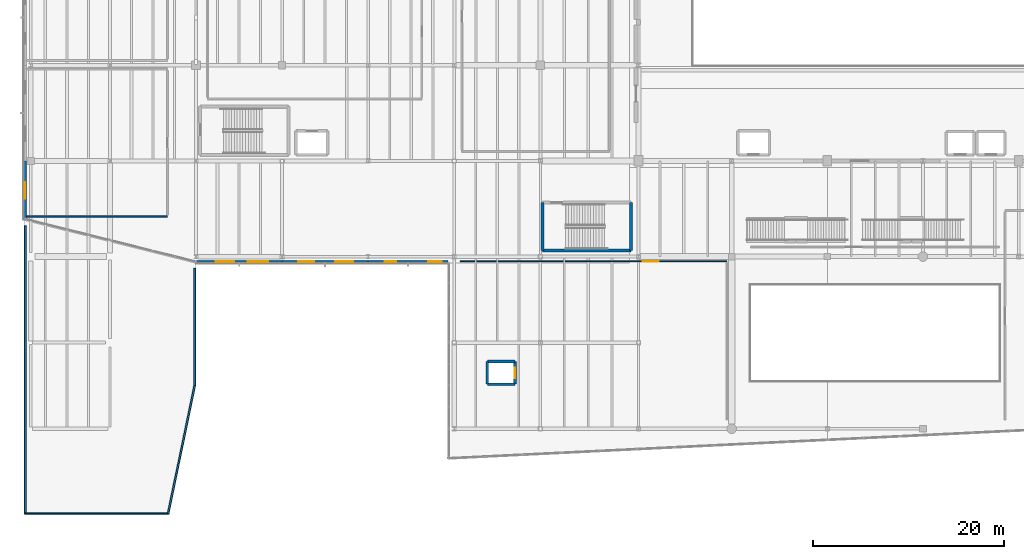
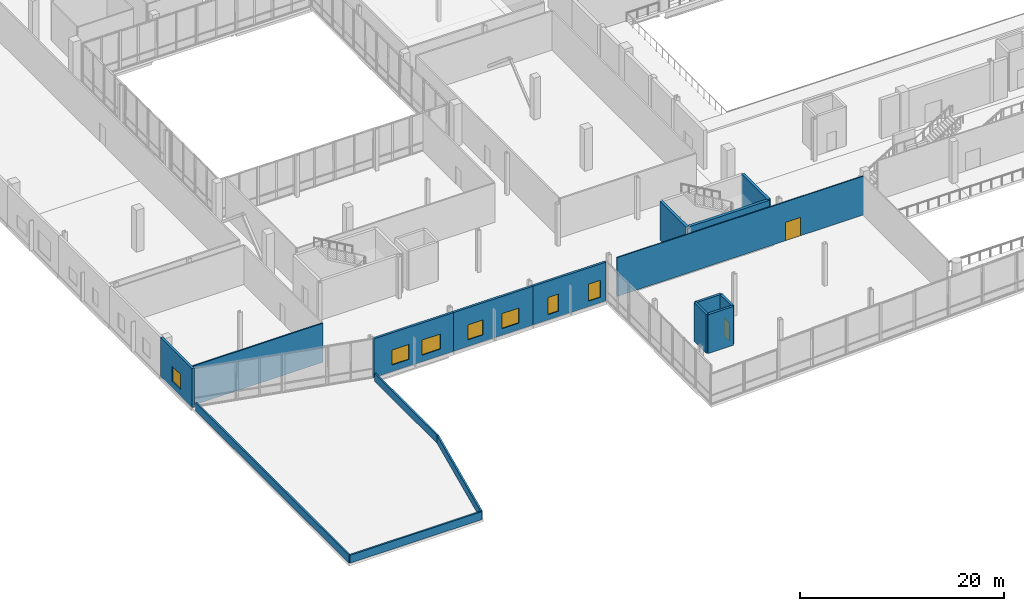
# One storey, part 58 of 81: 17 walls, 7 windows, 2 doors, 9 openings.
"""IFC4 building model written with IfcOpenShell, lengths in metres."""

from ifc_helpers import new_model, si_unit, direction, frame, frame_2d, origin, place, context, subcontext, project, spatial, rectangle, extrude, material, layer, layer_set, type_object, element, fill, save


model = new_model("IFC4")

# Units and contexts
model_context = context("Model", 3, precision=1e-05, world=origin(), true_north=direction((0.0, 1.0)))
body_context = subcontext(model_context, "Body", "Model", "MODEL_VIEW")
ifc_project = project(units=[si_unit("LENGTHUNIT", "METRE"), si_unit("AREAUNIT", "SQUARE_METRE"), si_unit("VOLUMEUNIT", "CUBIC_METRE"), si_unit("PLANEANGLEUNIT", "RADIAN"), si_unit("MASSUNIT", "GRAM", prefix="KILO")], contexts=[model_context])

# Site, building, storey
site_placement = place(None, origin())
site = spatial("IfcSite", under=ifc_project, at=site_placement, CompositionType="ELEMENT")
building_placement = place(site_placement, origin())
building = spatial("IfcBuilding", under=site, at=building_placement, Name="Trimount Lyric Opera House", CompositionType="ELEMENT")
storey_placement = place(building_placement, frame((0.0, 0.0, 5.0)))
storey = spatial("IfcBuildingStorey", under=building, at=storey_placement, Name="L01", CompositionType="ELEMENT", Elevation=5.0)

# Walls
ifc_material_1 = material(Name="Precast concrete C40/50", Category="concrete")
ifc_layer_1 = layer(ifc_material_1, 0.18994140625)
ifc_layer_set_1 = layer_set([ifc_layer_1], Name="WL-PA190")
wall_type_1 = type_object("IfcWallType", Name="WL-PA190", PredefinedType="PARAPET", material=ifc_layer_set_1)
wall_1_placement = place(storey_placement, frame((0.139892578125, 17.139892578125, 0.0), z_axis=(0.0, 0.0, 1.0), x_axis=(0.0, 1.0, 0.0)))
element("IfcWall", 1, at=wall_1_placement, inside=storey, type_object=wall_type_1, Name="L01 roof parapet 001", PredefinedType="PARAPET", context=body_context, shape_type="SweptSolid", body=[
    extrude(rectangle(XDim=30.078125, YDim=0.18994140625, at=frame_2d((15.0390625, 0.0))), origin(), (0.0, 0.0, 1.0), 0.949951171875),
])
wall_2_placement = place(storey_placement, frame((17.860107421875, 42.7880859375, 0.0), z_axis=(0.0, 0.0, 1.0), x_axis=(0.0, -1.0, 0.0)))
element("IfcWall", 2, at=wall_2_placement, inside=storey, type_object=wall_type_1, Name="L01 roof parapet 002", PredefinedType="PARAPET", context=body_context, shape_type="SweptSolid", body=[
    extrude(rectangle(XDim=12.273681640625, YDim=0.18994140625, at=frame_2d((6.13671875, 0.0))), origin(), (0.0, 0.0, 1.0), 0.949951171875),
])
wall_3_placement = place(storey_placement, frame((17.860107421875, 30.514404296875, 0.0), z_axis=(0.0, 0.0, 1.0), x_axis=(-0.203081956201, -0.979161743057, 0.0)))
element("IfcWall", 3, at=wall_3_placement, inside=storey, type_object=wall_type_1, Name="L01 roof parapet 003", PredefinedType="PARAPET", context=body_context, shape_type="SweptSolid", body=[
    extrude(rectangle(XDim=13.6591796875, YDim=0.18994140625, at=frame_2d((6.82958984375, 0.0))), origin(), (0.0, 0.0, 1.0), 0.949951171875),
])
wall_4_placement = place(storey_placement, frame((15.086181640625, 17.139892578125, 0.0), z_axis=(0.0, 0.0, 1.0), x_axis=(-1.0, 0.0, 0.0)))
element("IfcWall", 4, at=wall_4_placement, inside=storey, type_object=wall_type_1, Name="L01 roof parapet 004", PredefinedType="PARAPET", context=body_context, shape_type="SweptSolid", body=[
    extrude(rectangle(XDim=14.9462890625, YDim=0.18994140625, at=frame_2d((7.47314453125, 0.0))), origin(), (0.0, 0.0, 1.0), 0.949951171875),
])

# Wall, opening, door
ifc_material_2 = material(Name="Gypsum Board Partition")
ifc_layer_2 = layer(ifc_material_2, 0.1201171875)
ifc_layer_set_2 = layer_set([ifc_layer_2], Name="WL-PT120")
wall_type_2 = type_object("IfcWallType", Name="WL-PT120", PredefinedType="PARTITIONING", material=ifc_layer_set_2)
wall_5_placement = place(storey_placement, frame((73.5, 43.5, 0.0), z_axis=(0.0, 0.0, 1.0), x_axis=(-1.0, 0.0, 0.0)))
wall_5 = element("IfcWall", 5, at=wall_5_placement, inside=storey, type_object=wall_type_2, Name="L01 Atrium Champagne Bar N partition", PredefinedType="PARTITIONING", context=body_context, shape_type="SweptSolid", body=[
    extrude(rectangle(XDim=27.89990234375, YDim=0.1201171875, at=frame_2d((13.949951171875, 0.0))), origin(), (0.0, 0.0, 1.0), 4.64990234375),
])
opening_1_placement = place(wall_5_placement, frame((7.10009765625, 0.0, 0.0)))
opening_1 = element("IfcOpeningElement", 6, at=opening_1_placement, cuts=wall_5, Name="Opening DT-COR2", PredefinedType="OPENING", context=body_context, shape_type="SweptSolid", body=[
    extrude(rectangle(XDim=1.699951171875, YDim=2.199951171875, at=frame_2d((0.85009765625, 1.10009765625))), frame((0.0, 0.070068359375, 0.0), z_axis=(0.0, -1.0, 0.0), x_axis=(1.0, 0.0, 0.0)), (0.0, 0.0, 1.0), 0.14013671875),
])
ifc_material_3 = material(Name="Solid Core White Oak")
door_type_1 = type_object("IfcDoorType", Name="DT-COR2", OperationType="DOUBLE_DOOR_SINGLE_SWING", PredefinedType="DOOR", material=ifc_material_3)
door_1_placement = place(opening_1_placement, origin())
door_1 = element("IfcDoor", 7, at=door_1_placement, inside=storey, type_object=door_type_1, Name="D-195", OperationType="DOUBLE_DOOR_SINGLE_SWING", OverallHeight=2.199951171875, OverallWidth=1.699951171875, PredefinedType="DOOR", context=body_context, shape_type="SweptSolid", body=[
    extrude(rectangle(XDim=1.699951171875, YDim=2.199951171875, at=frame_2d((0.85009765625, 1.10009765625))), frame((0.0, 0.02490234375, 0.0), z_axis=(0.0, -1.0, 0.0), x_axis=(1.0, 0.0, 0.0)), (0.0, 0.0, 1.0), 0.050048828125),
])
fill(opening_1, door_1)

# Walls
ifc_material_4 = material(Name="Fire-Rated Gypsum Board Partition")
ifc_layer_3 = layer(ifc_material_4, 0.14990234375)
ifc_layer_set_3 = layer_set([ifc_layer_3], Name="WL-PT150")
wall_type_3 = type_object("IfcWallType", Name="WL-PT150", PredefinedType="PARTITIONING", material=ifc_layer_set_3)
wall_6_placement = place(storey_placement, frame((0.25, 48.199951171875, 0.0), z_axis=(0.0, 0.0, 1.0), x_axis=(1.0, 0.0, 0.0)))
element("IfcWall", 8, at=wall_6_placement, inside=storey, type_object=wall_type_3, Name="L01 Conductor & Soloist Suite S partition", PredefinedType="PARTITIONING", context=body_context, shape_type="SweptSolid", body=[
    extrude(rectangle(XDim=14.75, YDim=0.14990234375, at=frame_2d((7.375, 0.0))), origin(), (0.0, 0.0, 1.0), 4.679931640625),
])
ifc_material_5 = material(Name="Concrete C40/50", Category="concrete")
ifc_layer_4 = layer(ifc_material_5, 0.280029296875)
ifc_layer_set_4 = layer_set([ifc_layer_4], Name="WL-SH280")
wall_type_4 = type_object("IfcWallType", Name="WL-SH280", PredefinedType="SHEAR", material=ifc_layer_set_4)
for number, where, z_axis, x_axis, name in (
    (9, (48.4599609375, 30.659912109375, 0.0), (0.0, 0.0, 1.0), (1.0, 0.0, 0.0), "Lift LF-08 L01 south shaft wall"),
    (10, (51.340087890625, 33.0400390625, 0.0), (0.0, 0.0, 1.0), (-1.0, 0.0, 0.0), "Lift LF-08 L01 north shaft wall"),
):
    element("IfcWall", number, at=place(storey_placement, frame(where, z_axis=z_axis, x_axis=x_axis)), inside=storey, type_object=wall_type_4, Name=name, PredefinedType="SHEAR", context=body_context, shape_type="SweptSolid", body=[
        extrude(rectangle(XDim=2.880126953125, YDim=0.280029296875, at=frame_2d((1.43994140625, 0.0))), origin(), (0.0, 0.0, 1.0), 4.64990234375),
    ])
wall_7_placement = place(storey_placement, frame((48.4599609375, 33.0400390625, 0.0), z_axis=(0.0, 0.0, 1.0), x_axis=(0.0, -1.0, 0.0)))
element("IfcWall", 11, at=wall_7_placement, inside=storey, type_object=wall_type_4, Name="Lift LF-08 L01 west shaft wall", PredefinedType="SHEAR", context=body_context, shape_type="SweptSolid", body=[
    extrude(rectangle(XDim=2.380126953125, YDim=0.280029296875, at=frame_2d((1.18994140625, 0.0))), origin(), (0.0, 0.0, 1.0), 4.64990234375),
])

# Wall, opening, door
wall_8_placement = place(storey_placement, frame((51.340087890625, 30.659912109375, 0.0), z_axis=(0.0, 0.0, 1.0), x_axis=(0.0, 1.0, 0.0)))
wall_8 = element("IfcWall", 12, at=wall_8_placement, inside=storey, type_object=wall_type_4, Name="Lift LF-08 L01 east shaft wall", PredefinedType="SHEAR", context=body_context, shape_type="SweptSolid", body=[
    extrude(rectangle(XDim=2.380126953125, YDim=0.280029296875, at=frame_2d((1.18994140625, 0.0))), origin(), (0.0, 0.0, 1.0), 4.64990234375),
])
opening_2_placement = place(wall_8_placement, frame((0.639892578125, 0.0, 0.0)))
opening_2 = element("IfcOpeningElement", 13, at=opening_2_placement, cuts=wall_8, Name="Opening DT-LD1", PredefinedType="OPENING", context=body_context, shape_type="SweptSolid", body=[
    extrude(rectangle(XDim=1.10009765625, YDim=2.199951171875, at=frame_2d((0.550048828125, 1.10009765625))), frame((0.0, 0.14990234375, 0.0), z_axis=(0.0, -1.0, 0.0), x_axis=(1.0, 0.0, 0.0)), (0.0, 0.0, 1.0), 0.300048828125),
])
ifc_material_6 = material(Name="Brushed Stainless Steel", Category="steel")
door_type_2 = type_object("IfcDoorType", Name="DT-LD1", OperationType="SLIDING_TO_LEFT", PredefinedType="DOOR", material=ifc_material_6)
door_2_placement = place(opening_2_placement, origin())
door_2 = element("IfcDoor", 14, at=door_2_placement, inside=storey, type_object=door_type_2, Name="D-117", OperationType="SLIDING_TO_LEFT", OverallHeight=2.199951171875, OverallWidth=1.10009765625, PredefinedType="DOOR", context=body_context, shape_type="SweptSolid", body=[
    extrude(rectangle(XDim=1.10009765625, YDim=2.199951171875, at=frame_2d((0.550048828125, 1.10009765625))), frame((0.0, 0.02490234375, 0.0), z_axis=(0.0, -1.0, 0.0), x_axis=(1.0, 0.0, 0.0)), (0.0, 0.0, 1.0), 0.050048828125),
])
fill(opening_2, door_2)

# Walls
ifc_material_7 = material(Name="Concrete C40/50", Category="concrete")
ifc_layer_5 = layer(ifc_material_7, 0.320068359375)
ifc_layer_set_5 = layer_set([ifc_layer_5], Name="WL-SH320")
wall_type_5 = type_object("IfcWallType", Name="WL-SH320", PredefinedType="SHEAR", material=ifc_layer_set_5)
wall_9_placement = place(storey_placement, frame((54.22509765625, 44.625, 0.0), z_axis=(0.0, 0.0, 1.0), x_axis=(1.0, 0.0, 0.0)))
element("IfcWall", 15, at=wall_9_placement, inside=storey, type_object=wall_type_5, Name="K7 L01 south shaft wall", PredefinedType="SHEAR", context=body_context, shape_type="SweptSolid", body=[
    extrude(rectangle(XDim=9.25, YDim=0.320068359375, at=frame_2d((4.625, 0.0))), origin(), (0.0, 0.0, 1.0), 4.64990234375),
])
wall_10_placement = place(storey_placement, frame((54.22509765625, 49.675048828125, 0.0), z_axis=(0.0, 0.0, 1.0), x_axis=(0.0, -1.0, 0.0)))
element("IfcWall", 16, at=wall_10_placement, inside=storey, type_object=wall_type_5, Name="K7 L01 west shaft wall", PredefinedType="SHEAR", context=body_context, shape_type="SweptSolid", body=[
    extrude(rectangle(XDim=5.050048828125, YDim=0.320068359375, at=frame_2d((2.52490234375, 0.0))), origin(), (0.0, 0.0, 1.0), 4.64990234375),
])
wall_11_placement = place(storey_placement, frame((63.47509765625, 44.625, 0.0), z_axis=(0.0, 0.0, 1.0), x_axis=(0.0, 1.0, 0.0)))
element("IfcWall", 17, at=wall_11_placement, inside=storey, type_object=wall_type_5, Name="K7 L01 east shaft wall", PredefinedType="SHEAR", context=body_context, shape_type="SweptSolid", body=[
    extrude(rectangle(XDim=5.050048828125, YDim=0.320068359375, at=frame_2d((2.52490234375, 0.0))), origin(), (0.0, 0.0, 1.0), 4.679931640625),
])

# Wall, openings, windows
ifc_material_8 = material(Name="Concrete C35/45", Category="concrete")
ifc_layer_6 = layer(ifc_material_8, 0.25)
ifc_layer_set_6 = layer_set([ifc_layer_6], Name="WL-SW250")
wall_type_6 = type_object("IfcWallType", Name="WL-SW250", PredefinedType="SOLIDWALL", material=ifc_layer_set_6)
wall_12_placement = place(storey_placement, frame((44.320068359375, 43.4599609375, 0.0), z_axis=(0.0, 0.0, 1.0), x_axis=(-1.0, 0.0, 0.0)))
wall_12 = element("IfcWall", 18, at=wall_12_placement, inside=storey, type_object=wall_type_6, Name="L01 exterior facade wall 154", PredefinedType="SOLIDWALL", context=body_context, shape_type="SweptSolid", body=[
    extrude(rectangle(XDim=8.320068359375, YDim=0.25, at=frame_2d((4.16015625, 0.0))), origin(), (0.0, 0.0, 1.0), 4.64990234375),
])
opening_3_placement = place(wall_12_placement, frame((0.629638671875, 0.0, 0.64990234375)))
opening_3 = element("IfcOpeningElement", 19, at=opening_3_placement, cuts=wall_12, Name="Opening WT-13", PredefinedType="OPENING", context=body_context, shape_type="SweptSolid", body=[
    extrude(rectangle(XDim=1.39990234375, YDim=2.050048828125, at=frame_2d((0.699951171875, 1.02490234375))), frame((0.0, 0.135009765625, 0.0), z_axis=(0.0, -1.0, 0.0), x_axis=(1.0, 0.0, 0.0)), (0.0, 0.0, 1.0), 0.27001953125),
])
opening_4_placement = place(wall_12_placement, frame((5.390380859375, 0.0, 0.64990234375)))
opening_4 = element("IfcOpeningElement", 20, at=opening_4_placement, cuts=wall_12, Name="Opening WT-14", PredefinedType="OPENING", context=body_context, shape_type="SweptSolid", body=[
    extrude(rectangle(XDim=1.199951171875, YDim=2.050048828125, at=frame_2d((0.60009765625, 1.02490234375))), frame((0.0, 0.135009765625, 0.0), z_axis=(0.0, -1.0, 0.0), x_axis=(1.0, 0.0, 0.0)), (0.0, 0.0, 1.0), 0.27001953125),
])
ifc_material_9 = material(Name="Low-E Insulated Glazing in Bronze Frame", Category="glass")
window_type_1 = type_object("IfcWindowType", Name="WT-13", PartitioningType="SINGLE_PANEL", PredefinedType="WINDOW", material=ifc_material_9)
window_1_placement = place(opening_3_placement, origin())
window_1 = element("IfcWindow", 21, at=window_1_placement, inside=storey, type_object=window_type_1, Name="Window WT-13-0065", OverallHeight=2.050048828125, OverallWidth=1.39990234375, PartitioningType="SINGLE_PANEL", PredefinedType="WINDOW", context=body_context, shape_type="SweptSolid", body=[
    extrude(rectangle(XDim=1.39990234375, YDim=2.050048828125, at=frame_2d((0.699951171875, 1.02490234375))), frame((0.0, 0.030029296875, 0.0), z_axis=(0.0, -1.0, 0.0), x_axis=(1.0, 0.0, 0.0)), (0.0, 0.0, 1.0), 0.06005859375),
])
fill(opening_3, window_1)
ifc_material_10 = material(Name="Low-E Insulated Glazing in Bronze Frame", Category="glass")
window_type_2 = type_object("IfcWindowType", Name="WT-14", PartitioningType="SINGLE_PANEL", PredefinedType="WINDOW", material=ifc_material_10)
window_2_placement = place(opening_4_placement, origin())
window_2 = element("IfcWindow", 22, at=window_2_placement, inside=storey, type_object=window_type_2, Name="Window WT-14-0066", OverallHeight=2.050048828125, OverallWidth=1.199951171875, PartitioningType="SINGLE_PANEL", PredefinedType="WINDOW", context=body_context, shape_type="SweptSolid", body=[
    extrude(rectangle(XDim=1.199951171875, YDim=2.050048828125, at=frame_2d((0.60009765625, 1.02490234375))), frame((0.0, 0.030029296875, 0.0), z_axis=(0.0, -1.0, 0.0), x_axis=(1.0, 0.0, 0.0)), (0.0, 0.0, 1.0), 0.06005859375),
])
fill(opening_4, window_2)

wall_13_placement = place(storey_placement, frame((36.0, 43.4599609375, 0.0), z_axis=(0.0, 0.0, 1.0), x_axis=(-1.0, 0.0, 0.0)))
wall_13 = element("IfcWall", 23, at=wall_13_placement, inside=storey, type_object=wall_type_6, Name="L01 exterior facade wall 155", PredefinedType="SOLIDWALL", context=body_context, shape_type="SweptSolid", body=[
    extrude(rectangle(XDim=9.0, YDim=0.25, at=frame_2d((4.5, 0.0))), origin(), (0.0, 0.0, 1.0), 4.64990234375),
])
opening_5_placement = place(wall_13_placement, frame((1.570068359375, 0.0, 0.800048828125)))
opening_5 = element("IfcOpeningElement", 24, at=opening_5_placement, cuts=wall_13, Name="Opening WT-18", PredefinedType="OPENING", context=body_context, shape_type="SweptSolid", body=[
    extrude(rectangle(XDim=1.89990234375, YDim=1.800048828125, at=frame_2d((0.949951171875, 0.89990234375))), frame((0.0, 0.135009765625, 0.0), z_axis=(0.0, -1.0, 0.0), x_axis=(1.0, 0.0, 0.0)), (0.0, 0.0, 1.0), 0.27001953125),
])
opening_6_placement = place(wall_13_placement, frame((5.6298828125, 0.0, 0.800048828125)))
opening_6 = element("IfcOpeningElement", 25, at=opening_6_placement, cuts=wall_13, Name="Opening WT-19", PredefinedType="OPENING", context=body_context, shape_type="SweptSolid", body=[
    extrude(rectangle(XDim=1.699951171875, YDim=1.800048828125, at=frame_2d((0.85009765625, 0.89990234375))), frame((0.0, 0.135009765625, 0.0), z_axis=(0.0, -1.0, 0.0), x_axis=(1.0, 0.0, 0.0)), (0.0, 0.0, 1.0), 0.27001953125),
])
ifc_material_11 = material(Name="Dressing Suite Acoustic Window")
window_type_3 = type_object("IfcWindowType", Name="WT-18", PartitioningType="DOUBLE_PANEL_VERTICAL", PredefinedType="WINDOW", material=ifc_material_11)
window_3_placement = place(opening_5_placement, origin())
window_3 = element("IfcWindow", 26, at=window_3_placement, inside=storey, type_object=window_type_3, Name="Window WT-18-0067", OverallHeight=1.800048828125, OverallWidth=1.89990234375, PartitioningType="SINGLE_PANEL", PredefinedType="WINDOW", context=body_context, shape_type="SweptSolid", body=[
    extrude(rectangle(XDim=1.89990234375, YDim=1.800048828125, at=frame_2d((0.949951171875, 0.89990234375))), frame((0.0, 0.030029296875, 0.0), z_axis=(0.0, -1.0, 0.0), x_axis=(1.0, 0.0, 0.0)), (0.0, 0.0, 1.0), 0.06005859375),
])
fill(opening_5, window_3)
ifc_material_12 = material(Name="Dressing Suite Acoustic Window")
window_type_4 = type_object("IfcWindowType", Name="WT-19", PartitioningType="SINGLE_PANEL", PredefinedType="WINDOW", material=ifc_material_12)
window_4_placement = place(opening_6_placement, origin())
window_4 = element("IfcWindow", 27, at=window_4_placement, inside=storey, type_object=window_type_4, Name="Window WT-19-0068", OverallHeight=1.800048828125, OverallWidth=1.699951171875, PartitioningType="SINGLE_PANEL", PredefinedType="WINDOW", context=body_context, shape_type="SweptSolid", body=[
    extrude(rectangle(XDim=1.699951171875, YDim=1.800048828125, at=frame_2d((0.85009765625, 0.89990234375))), frame((0.0, 0.030029296875, 0.0), z_axis=(0.0, -1.0, 0.0), x_axis=(1.0, 0.0, 0.0)), (0.0, 0.0, 1.0), 0.06005859375),
])
fill(opening_6, window_4)

wall_14_placement = place(storey_placement, frame((27.0, 43.4599609375, 0.0), z_axis=(0.0, 0.0, 1.0), x_axis=(-1.0, 0.0, 0.0)))
wall_14 = element("IfcWall", 28, at=wall_14_placement, inside=storey, type_object=wall_type_6, Name="L01 exterior facade wall 156", PredefinedType="SOLIDWALL", context=body_context, shape_type="SweptSolid", body=[
    extrude(rectangle(XDim=9.0, YDim=0.25, at=frame_2d((4.5, 0.0))), origin(), (0.0, 0.0, 1.0), 4.64990234375),
])
opening_7_placement = place(wall_14_placement, frame((1.469970703125, 0.0, 0.800048828125)))
opening_7 = element("IfcOpeningElement", 29, at=opening_7_placement, cuts=wall_14, Name="Opening WT-17", PredefinedType="OPENING", context=body_context, shape_type="SweptSolid", body=[
    extrude(rectangle(XDim=2.10009765625, YDim=1.800048828125, at=frame_2d((1.050048828125, 0.89990234375))), frame((0.0, 0.135009765625, 0.0), z_axis=(0.0, -1.0, 0.0), x_axis=(1.0, 0.0, 0.0)), (0.0, 0.0, 1.0), 0.27001953125),
])
opening_8_placement = place(wall_14_placement, frame((5.030029296875, 0.0, 0.800048828125)))
opening_8 = element("IfcOpeningElement", 30, at=opening_8_placement, cuts=wall_14, Name="Opening WT-18", PredefinedType="OPENING", context=body_context, shape_type="SweptSolid", body=[
    extrude(rectangle(XDim=1.89990234375, YDim=1.800048828125, at=frame_2d((0.949951171875, 0.89990234375))), frame((0.0, 0.135009765625, 0.0), z_axis=(0.0, -1.0, 0.0), x_axis=(1.0, 0.0, 0.0)), (0.0, 0.0, 1.0), 0.27001953125),
])
ifc_material_13 = material(Name="Dressing Suite Acoustic Window")
window_type_5 = type_object("IfcWindowType", Name="WT-17", PartitioningType="DOUBLE_PANEL_VERTICAL", PredefinedType="WINDOW", material=ifc_material_13)
window_5_placement = place(opening_7_placement, origin())
window_5 = element("IfcWindow", 31, at=window_5_placement, inside=storey, type_object=window_type_5, Name="Window WT-17-0069", OverallHeight=1.800048828125, OverallWidth=2.10009765625, PartitioningType="SINGLE_PANEL", PredefinedType="WINDOW", context=body_context, shape_type="SweptSolid", body=[
    extrude(rectangle(XDim=2.10009765625, YDim=1.800048828125, at=frame_2d((1.050048828125, 0.89990234375))), frame((0.0, 0.030029296875, 0.0), z_axis=(0.0, -1.0, 0.0), x_axis=(1.0, 0.0, 0.0)), (0.0, 0.0, 1.0), 0.06005859375),
])
fill(opening_7, window_5)
window_6_placement = place(opening_8_placement, origin())
window_6 = element("IfcWindow", 32, at=window_6_placement, inside=storey, type_object=window_type_3, Name="Window WT-18-0070", OverallHeight=1.800048828125, OverallWidth=1.89990234375, PartitioningType="SINGLE_PANEL", PredefinedType="WINDOW", context=body_context, shape_type="SweptSolid", body=[
    extrude(rectangle(XDim=1.89990234375, YDim=1.800048828125, at=frame_2d((0.949951171875, 0.89990234375))), frame((0.0, 0.030029296875, 0.0), z_axis=(0.0, -1.0, 0.0), x_axis=(1.0, 0.0, 0.0)), (0.0, 0.0, 1.0), 0.06005859375),
])
fill(opening_8, window_6)

# Wall, opening, window
wall_15_placement = place(storey_placement, frame((0.139892578125, 47.820068359375, 0.0), z_axis=(0.0, 0.0, 1.0), x_axis=(0.0, 1.0, 0.0)))
wall_15 = element("IfcWall", 33, at=wall_15_placement, inside=storey, type_object=wall_type_6, Name="L01 exterior facade wall 157", PredefinedType="SOLIDWALL", context=body_context, shape_type="SweptSolid", body=[
    extrude(rectangle(XDim=6.179931640625, YDim=0.25, at=frame_2d((3.08984375, 0.0))), origin(), (0.0, 0.0, 1.0), 4.679931640625),
])
opening_9_placement = place(wall_15_placement, frame((2.239990234375, 0.0, 0.800048828125)))
opening_9 = element("IfcOpeningElement", 34, at=opening_9_placement, cuts=wall_15, Name="Opening WT-19", PredefinedType="OPENING", context=body_context, shape_type="SweptSolid", body=[
    extrude(rectangle(XDim=1.699951171875, YDim=1.800048828125, at=frame_2d((0.85009765625, 0.89990234375))), frame((0.0, 0.135009765625, 0.0), z_axis=(0.0, -1.0, 0.0), x_axis=(1.0, 0.0, 0.0)), (0.0, 0.0, 1.0), 0.27001953125),
])
window_7_placement = place(opening_9_placement, origin())
window_7 = element("IfcWindow", 35, at=window_7_placement, inside=storey, type_object=window_type_4, Name="Window WT-19-0071", OverallHeight=1.800048828125, OverallWidth=1.699951171875, PartitioningType="SINGLE_PANEL", PredefinedType="WINDOW", context=body_context, shape_type="SweptSolid", body=[
    extrude(rectangle(XDim=1.699951171875, YDim=1.800048828125, at=frame_2d((0.85009765625, 0.89990234375))), frame((0.0, 0.030029296875, 0.0), z_axis=(0.0, -1.0, 0.0), x_axis=(1.0, 0.0, 0.0)), (0.0, 0.0, 1.0), 0.06005859375),
])
fill(opening_9, window_7)

save(model, "model.ifc")
